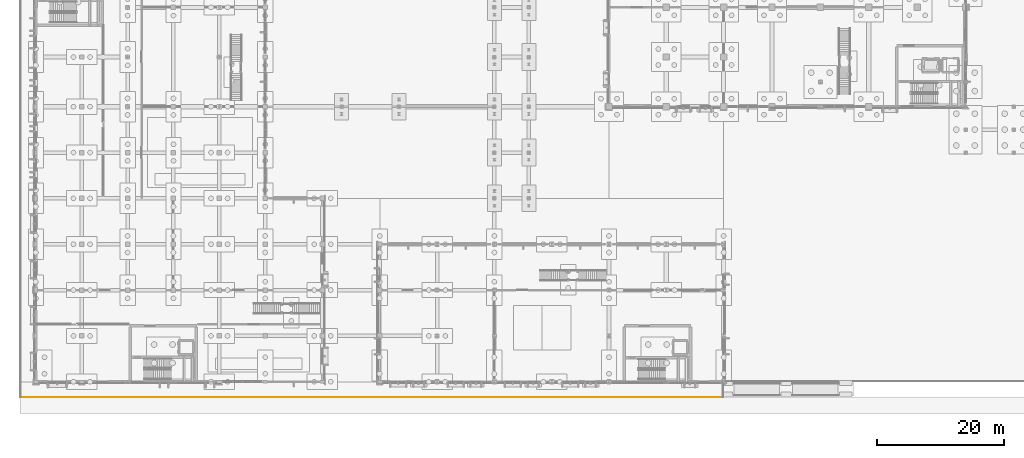
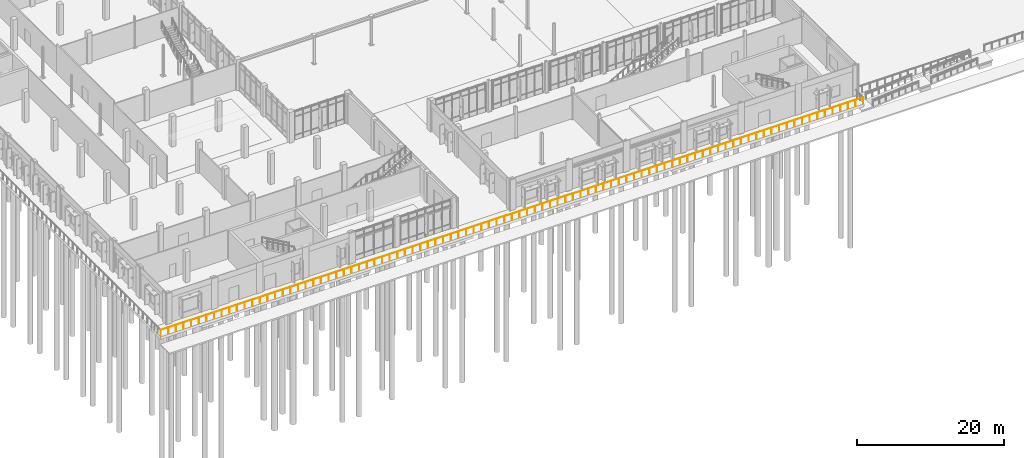
# One storey, part 80 of 94: 1 railing.
"""IFC4 building model written with IfcOpenShell, lengths in metres."""

from ifc_helpers import new_model, si_unit, direction, frame, origin, origin_2d, place, context, subcontext, project, spatial, circle, extrude, material, type_object, element, save


model = new_model("IFC4")

# Units and contexts
model_context = context("Model", 3, precision=1e-05, world=origin(), true_north=direction((0.0, 1.0)))
body_context = subcontext(model_context, "Body", "Model", "MODEL_VIEW")
ifc_project = project(units=[si_unit("LENGTHUNIT", "METRE"), si_unit("AREAUNIT", "SQUARE_METRE"), si_unit("VOLUMEUNIT", "CUBIC_METRE"), si_unit("PLANEANGLEUNIT", "RADIAN"), si_unit("MASSUNIT", "GRAM", prefix="KILO")], contexts=[model_context])

# Site, building, storey
site_placement = place(None, origin())
site = spatial("IfcSite", under=ifc_project, at=site_placement, CompositionType="ELEMENT")
building_placement = place(site_placement, origin())
building = spatial("IfcBuilding", under=site, at=building_placement, Name="Vervanel Yard Central Library", CompositionType="ELEMENT")
storey_placement = place(building_placement, origin())
storey = spatial("IfcBuildingStorey", under=building, at=storey_placement, Name="L00", CompositionType="ELEMENT", Elevation=0.0)

# Railing
ifc_material = material(Name="Brushed stainless steel AISI 316", Category="steel")
railing_type = type_object("IfcRailingType", Name="Exterior Terrace Guardrail 1100", PredefinedType="GUARDRAIL", material=ifc_material)
railing_placement = place(storey_placement, frame((-2.419921875, -2.419921875, 0.0)))
element("IfcRailing", 1, at=railing_placement, inside=storey, type_object=railing_type, Name="L00 South Boulevard Plinth Promenade Edge Guard 10", PredefinedType="GUARDRAIL", context=body_context, shape_type="SweptSolid", body=[
    extrude(circle(Radius=0.02392578125, at=origin_2d()), frame((0.0, 0.0, 1.076171875), z_axis=(1.0, 0.0, 0.0), x_axis=(0.0, 1.0, 0.0)), (0.0, 0.0, 1.0), 110.33984375),
    extrude(circle(Radius=0.02099609375, at=origin_2d()), origin(), (0.0, 0.0, 1.0), 1.052001953125),
    extrude(circle(Radius=0.02099609375, at=origin_2d()), frame((1.199462890625, 0.0, 0.0)), (0.0, 0.0, 1.0), 1.052001953125),
    extrude(circle(Radius=0.02099609375, at=origin_2d()), frame((2.398681640625, 0.0, 0.0)), (0.0, 0.0, 1.0), 1.052001953125),
    extrude(circle(Radius=0.02099609375, at=origin_2d()), frame((3.59814453125, 0.0, 0.0)), (0.0, 0.0, 1.0), 1.052001953125),
    extrude(circle(Radius=0.02099609375, at=origin_2d()), frame((4.79736328125, 0.0, 0.0)), (0.0, 0.0, 1.0), 1.052001953125),
    extrude(circle(Radius=0.02099609375, at=origin_2d()), frame((5.996826171875, 0.0, 0.0)), (0.0, 0.0, 1.0), 1.052001953125),
    extrude(circle(Radius=0.02099609375, at=origin_2d()), frame((7.196044921875, 0.0, 0.0)), (0.0, 0.0, 1.0), 1.052001953125),
    extrude(circle(Radius=0.02099609375, at=origin_2d()), frame((8.3955078125, 0.0, 0.0)), (0.0, 0.0, 1.0), 1.052001953125),
    extrude(circle(Radius=0.02099609375, at=origin_2d()), frame((9.5947265625, 0.0, 0.0)), (0.0, 0.0, 1.0), 1.052001953125),
    extrude(circle(Radius=0.02099609375, at=origin_2d()), frame((10.794189453125, 0.0, 0.0)), (0.0, 0.0, 1.0), 1.052001953125),
    extrude(circle(Radius=0.02099609375, at=origin_2d()), frame((11.993408203125, 0.0, 0.0)), (0.0, 0.0, 1.0), 1.052001953125),
    extrude(circle(Radius=0.02099609375, at=origin_2d()), frame((13.19287109375, 0.0, 0.0)), (0.0, 0.0, 1.0), 1.052001953125),
    extrude(circle(Radius=0.02099609375, at=origin_2d()), frame((14.39208984375, 0.0, 0.0)), (0.0, 0.0, 1.0), 1.052001953125),
    extrude(circle(Radius=0.02099609375, at=origin_2d()), frame((15.591552734375, 0.0, 0.0)), (0.0, 0.0, 1.0), 1.052001953125),
    extrude(circle(Radius=0.02099609375, at=origin_2d()), frame((16.790771484375, 0.0, 0.0)), (0.0, 0.0, 1.0), 1.052001953125),
    extrude(circle(Radius=0.02099609375, at=origin_2d()), frame((17.990234375, 0.0, 0.0)), (0.0, 0.0, 1.0), 1.052001953125),
    extrude(circle(Radius=0.02099609375, at=origin_2d()), frame((19.189453125, 0.0, 0.0)), (0.0, 0.0, 1.0), 1.052001953125),
    extrude(circle(Radius=0.02099609375, at=origin_2d()), frame((20.388916015625, 0.0, 0.0)), (0.0, 0.0, 1.0), 1.052001953125),
    extrude(circle(Radius=0.02099609375, at=origin_2d()), frame((21.588134765625, 0.0, 0.0)), (0.0, 0.0, 1.0), 1.052001953125),
    extrude(circle(Radius=0.02099609375, at=origin_2d()), frame((22.78759765625, 0.0, 0.0)), (0.0, 0.0, 1.0), 1.052001953125),
    extrude(circle(Radius=0.02099609375, at=origin_2d()), frame((23.98681640625, 0.0, 0.0)), (0.0, 0.0, 1.0), 1.052001953125),
    extrude(circle(Radius=0.02099609375, at=origin_2d()), frame((25.186279296875, 0.0, 0.0)), (0.0, 0.0, 1.0), 1.052001953125),
    extrude(circle(Radius=0.02099609375, at=origin_2d()), frame((26.385498046875, 0.0, 0.0)), (0.0, 0.0, 1.0), 1.052001953125),
    extrude(circle(Radius=0.02099609375, at=origin_2d()), frame((27.5849609375, 0.0, 0.0)), (0.0, 0.0, 1.0), 1.052001953125),
    extrude(circle(Radius=0.02099609375, at=origin_2d()), frame((28.784423828125, 0.0, 0.0)), (0.0, 0.0, 1.0), 1.052001953125),
    extrude(circle(Radius=0.02099609375, at=origin_2d()), frame((29.983642578125, 0.0, 0.0)), (0.0, 0.0, 1.0), 1.052001953125),
    extrude(circle(Radius=0.02099609375, at=origin_2d()), frame((31.18310546875, 0.0, 0.0)), (0.0, 0.0, 1.0), 1.052001953125),
    extrude(circle(Radius=0.02099609375, at=origin_2d()), frame((32.38232421875, 0.0, 0.0)), (0.0, 0.0, 1.0), 1.052001953125),
    extrude(circle(Radius=0.02099609375, at=origin_2d()), frame((33.581787109375, 0.0, 0.0)), (0.0, 0.0, 1.0), 1.052001953125),
    extrude(circle(Radius=0.02099609375, at=origin_2d()), frame((34.781005859375, 0.0, 0.0)), (0.0, 0.0, 1.0), 1.052001953125),
    extrude(circle(Radius=0.02099609375, at=origin_2d()), frame((35.98046875, 0.0, 0.0)), (0.0, 0.0, 1.0), 1.052001953125),
    extrude(circle(Radius=0.02099609375, at=origin_2d()), frame((37.1796875, 0.0, 0.0)), (0.0, 0.0, 1.0), 1.052001953125),
    extrude(circle(Radius=0.02099609375, at=origin_2d()), frame((38.379150390625, 0.0, 0.0)), (0.0, 0.0, 1.0), 1.052001953125),
    extrude(circle(Radius=0.02099609375, at=origin_2d()), frame((39.578369140625, 0.0, 0.0)), (0.0, 0.0, 1.0), 1.052001953125),
    extrude(circle(Radius=0.02099609375, at=origin_2d()), frame((40.77783203125, 0.0, 0.0)), (0.0, 0.0, 1.0), 1.052001953125),
    extrude(circle(Radius=0.02099609375, at=origin_2d()), frame((41.97705078125, 0.0, 0.0)), (0.0, 0.0, 1.0), 1.052001953125),
    extrude(circle(Radius=0.02099609375, at=origin_2d()), frame((43.176513671875, 0.0, 0.0)), (0.0, 0.0, 1.0), 1.052001953125),
    extrude(circle(Radius=0.02099609375, at=origin_2d()), frame((44.375732421875, 0.0, 0.0)), (0.0, 0.0, 1.0), 1.052001953125),
    extrude(circle(Radius=0.02099609375, at=origin_2d()), frame((45.5751953125, 0.0, 0.0)), (0.0, 0.0, 1.0), 1.052001953125),
    extrude(circle(Radius=0.02099609375, at=origin_2d()), frame((46.7744140625, 0.0, 0.0)), (0.0, 0.0, 1.0), 1.052001953125),
    extrude(circle(Radius=0.02099609375, at=origin_2d()), frame((47.973876953125, 0.0, 0.0)), (0.0, 0.0, 1.0), 1.052001953125),
    extrude(circle(Radius=0.02099609375, at=origin_2d()), frame((49.173095703125, 0.0, 0.0)), (0.0, 0.0, 1.0), 1.052001953125),
    extrude(circle(Radius=0.02099609375, at=origin_2d()), frame((50.37255859375, 0.0, 0.0)), (0.0, 0.0, 1.0), 1.052001953125),
    extrude(circle(Radius=0.02099609375, at=origin_2d()), frame((51.57177734375, 0.0, 0.0)), (0.0, 0.0, 1.0), 1.052001953125),
    extrude(circle(Radius=0.02099609375, at=origin_2d()), frame((52.771240234375, 0.0, 0.0)), (0.0, 0.0, 1.0), 1.052001953125),
    extrude(circle(Radius=0.02099609375, at=origin_2d()), frame((53.970458984375, 0.0, 0.0)), (0.0, 0.0, 1.0), 1.052001953125),
    extrude(circle(Radius=0.02099609375, at=origin_2d()), frame((55.169921875, 0.0, 0.0)), (0.0, 0.0, 1.0), 1.052001953125),
    extrude(circle(Radius=0.02099609375, at=origin_2d()), frame((56.369384765625, 0.0, 0.0)), (0.0, 0.0, 1.0), 1.052001953125),
    extrude(circle(Radius=0.02099609375, at=origin_2d()), frame((57.568603515625, 0.0, 0.0)), (0.0, 0.0, 1.0), 1.052001953125),
    extrude(circle(Radius=0.02099609375, at=origin_2d()), frame((58.76806640625, 0.0, 0.0)), (0.0, 0.0, 1.0), 1.052001953125),
    extrude(circle(Radius=0.02099609375, at=origin_2d()), frame((59.96728515625, 0.0, 0.0)), (0.0, 0.0, 1.0), 1.052001953125),
    extrude(circle(Radius=0.02099609375, at=origin_2d()), frame((61.166748046875, 0.0, 0.0)), (0.0, 0.0, 1.0), 1.052001953125),
    extrude(circle(Radius=0.02099609375, at=origin_2d()), frame((62.365966796875, 0.0, 0.0)), (0.0, 0.0, 1.0), 1.052001953125),
    extrude(circle(Radius=0.02099609375, at=origin_2d()), frame((63.5654296875, 0.0, 0.0)), (0.0, 0.0, 1.0), 1.052001953125),
    extrude(circle(Radius=0.02099609375, at=origin_2d()), frame((64.7646484375, 0.0, 0.0)), (0.0, 0.0, 1.0), 1.052001953125),
    extrude(circle(Radius=0.02099609375, at=origin_2d()), frame((65.964111328125, 0.0, 0.0)), (0.0, 0.0, 1.0), 1.052001953125),
    extrude(circle(Radius=0.02099609375, at=origin_2d()), frame((67.163330078125, 0.0, 0.0)), (0.0, 0.0, 1.0), 1.052001953125),
    extrude(circle(Radius=0.02099609375, at=origin_2d()), frame((68.36279296875, 0.0, 0.0)), (0.0, 0.0, 1.0), 1.052001953125),
    extrude(circle(Radius=0.02099609375, at=origin_2d()), frame((69.56201171875, 0.0, 0.0)), (0.0, 0.0, 1.0), 1.052001953125),
    extrude(circle(Radius=0.02099609375, at=origin_2d()), frame((70.761474609375, 0.0, 0.0)), (0.0, 0.0, 1.0), 1.052001953125),
    extrude(circle(Radius=0.02099609375, at=origin_2d()), frame((71.960693359375, 0.0, 0.0)), (0.0, 0.0, 1.0), 1.052001953125),
    extrude(circle(Radius=0.02099609375, at=origin_2d()), frame((73.16015625, 0.0, 0.0)), (0.0, 0.0, 1.0), 1.052001953125),
    extrude(circle(Radius=0.02099609375, at=origin_2d()), frame((74.359375, 0.0, 0.0)), (0.0, 0.0, 1.0), 1.052001953125),
    extrude(circle(Radius=0.02099609375, at=origin_2d()), frame((75.558837890625, 0.0, 0.0)), (0.0, 0.0, 1.0), 1.052001953125),
    extrude(circle(Radius=0.02099609375, at=origin_2d()), frame((76.758056640625, 0.0, 0.0)), (0.0, 0.0, 1.0), 1.052001953125),
    extrude(circle(Radius=0.02099609375, at=origin_2d()), frame((77.95751953125, 0.0, 0.0)), (0.0, 0.0, 1.0), 1.052001953125),
    extrude(circle(Radius=0.02099609375, at=origin_2d()), frame((79.15673828125, 0.0, 0.0)), (0.0, 0.0, 1.0), 1.052001953125),
    extrude(circle(Radius=0.02099609375, at=origin_2d()), frame((80.356201171875, 0.0, 0.0)), (0.0, 0.0, 1.0), 1.052001953125),
    extrude(circle(Radius=0.02099609375, at=origin_2d()), frame((81.555419921875, 0.0, 0.0)), (0.0, 0.0, 1.0), 1.052001953125),
    extrude(circle(Radius=0.02099609375, at=origin_2d()), frame((82.7548828125, 0.0, 0.0)), (0.0, 0.0, 1.0), 1.052001953125),
    extrude(circle(Radius=0.02099609375, at=origin_2d()), frame((83.954345703125, 0.0, 0.0)), (0.0, 0.0, 1.0), 1.052001953125),
    extrude(circle(Radius=0.02099609375, at=origin_2d()), frame((85.153564453125, 0.0, 0.0)), (0.0, 0.0, 1.0), 1.052001953125),
    extrude(circle(Radius=0.02099609375, at=origin_2d()), frame((86.35302734375, 0.0, 0.0)), (0.0, 0.0, 1.0), 1.052001953125),
    extrude(circle(Radius=0.02099609375, at=origin_2d()), frame((87.55224609375, 0.0, 0.0)), (0.0, 0.0, 1.0), 1.052001953125),
    extrude(circle(Radius=0.02099609375, at=origin_2d()), frame((88.751708984375, 0.0, 0.0)), (0.0, 0.0, 1.0), 1.052001953125),
    extrude(circle(Radius=0.02099609375, at=origin_2d()), frame((89.950927734375, 0.0, 0.0)), (0.0, 0.0, 1.0), 1.052001953125),
    extrude(circle(Radius=0.02099609375, at=origin_2d()), frame((91.150390625, 0.0, 0.0)), (0.0, 0.0, 1.0), 1.052001953125),
    extrude(circle(Radius=0.02099609375, at=origin_2d()), frame((92.349609375, 0.0, 0.0)), (0.0, 0.0, 1.0), 1.052001953125),
    extrude(circle(Radius=0.02099609375, at=origin_2d()), frame((93.549072265625, 0.0, 0.0)), (0.0, 0.0, 1.0), 1.052001953125),
    extrude(circle(Radius=0.02099609375, at=origin_2d()), frame((94.748291015625, 0.0, 0.0)), (0.0, 0.0, 1.0), 1.052001953125),
    extrude(circle(Radius=0.02099609375, at=origin_2d()), frame((95.94775390625, 0.0, 0.0)), (0.0, 0.0, 1.0), 1.052001953125),
    extrude(circle(Radius=0.02099609375, at=origin_2d()), frame((97.14697265625, 0.0, 0.0)), (0.0, 0.0, 1.0), 1.052001953125),
    extrude(circle(Radius=0.02099609375, at=origin_2d()), frame((98.346435546875, 0.0, 0.0)), (0.0, 0.0, 1.0), 1.052001953125),
    extrude(circle(Radius=0.02099609375, at=origin_2d()), frame((99.545654296875, 0.0, 0.0)), (0.0, 0.0, 1.0), 1.052001953125),
    extrude(circle(Radius=0.02099609375, at=origin_2d()), frame((100.7451171875, 0.0, 0.0)), (0.0, 0.0, 1.0), 1.052001953125),
    extrude(circle(Radius=0.02099609375, at=origin_2d()), frame((101.9443359375, 0.0, 0.0)), (0.0, 0.0, 1.0), 1.052001953125),
    extrude(circle(Radius=0.02099609375, at=origin_2d()), frame((103.143798828125, 0.0, 0.0)), (0.0, 0.0, 1.0), 1.052001953125),
    extrude(circle(Radius=0.02099609375, at=origin_2d()), frame((104.343017578125, 0.0, 0.0)), (0.0, 0.0, 1.0), 1.052001953125),
    extrude(circle(Radius=0.02099609375, at=origin_2d()), frame((105.54248046875, 0.0, 0.0)), (0.0, 0.0, 1.0), 1.052001953125),
    extrude(circle(Radius=0.02099609375, at=origin_2d()), frame((106.74169921875, 0.0, 0.0)), (0.0, 0.0, 1.0), 1.052001953125),
    extrude(circle(Radius=0.02099609375, at=origin_2d()), frame((107.941162109375, 0.0, 0.0)), (0.0, 0.0, 1.0), 1.052001953125),
    extrude(circle(Radius=0.02099609375, at=origin_2d()), frame((109.140380859375, 0.0, 0.0)), (0.0, 0.0, 1.0), 1.052001953125),
    extrude(circle(Radius=0.02099609375, at=origin_2d()), frame((110.33984375, 0.0, 0.0)), (0.0, 0.0, 1.0), 1.052001953125),
])

save(model, "model.ifc")
